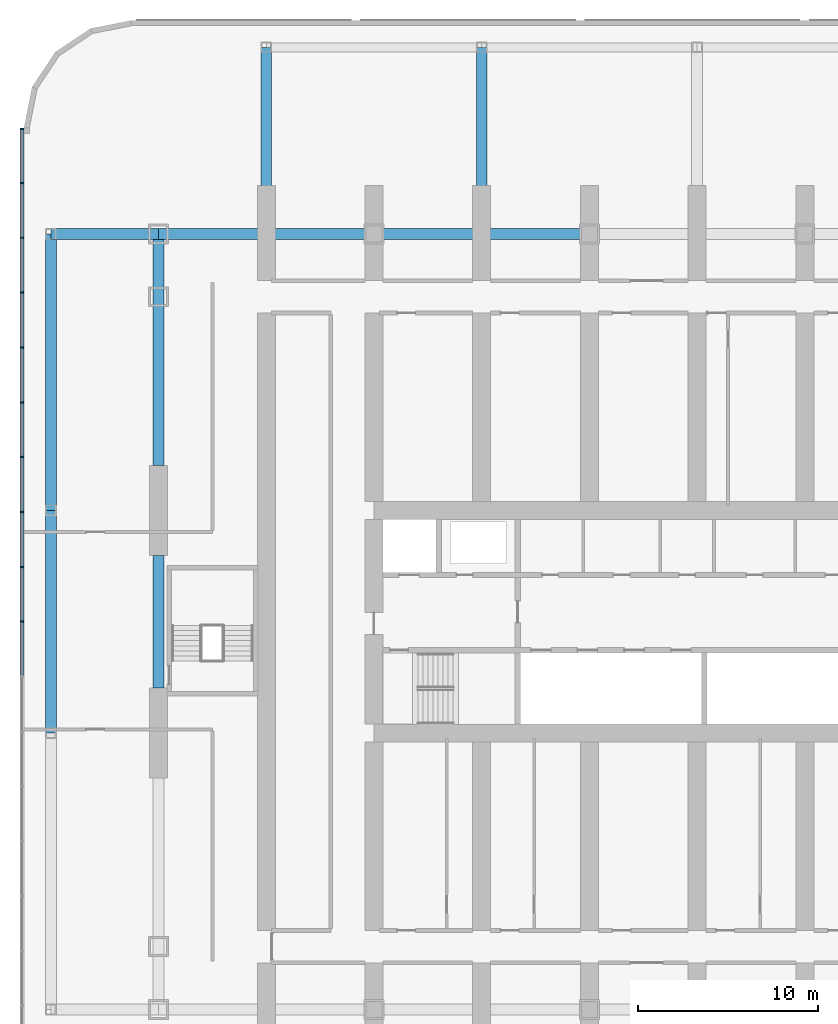
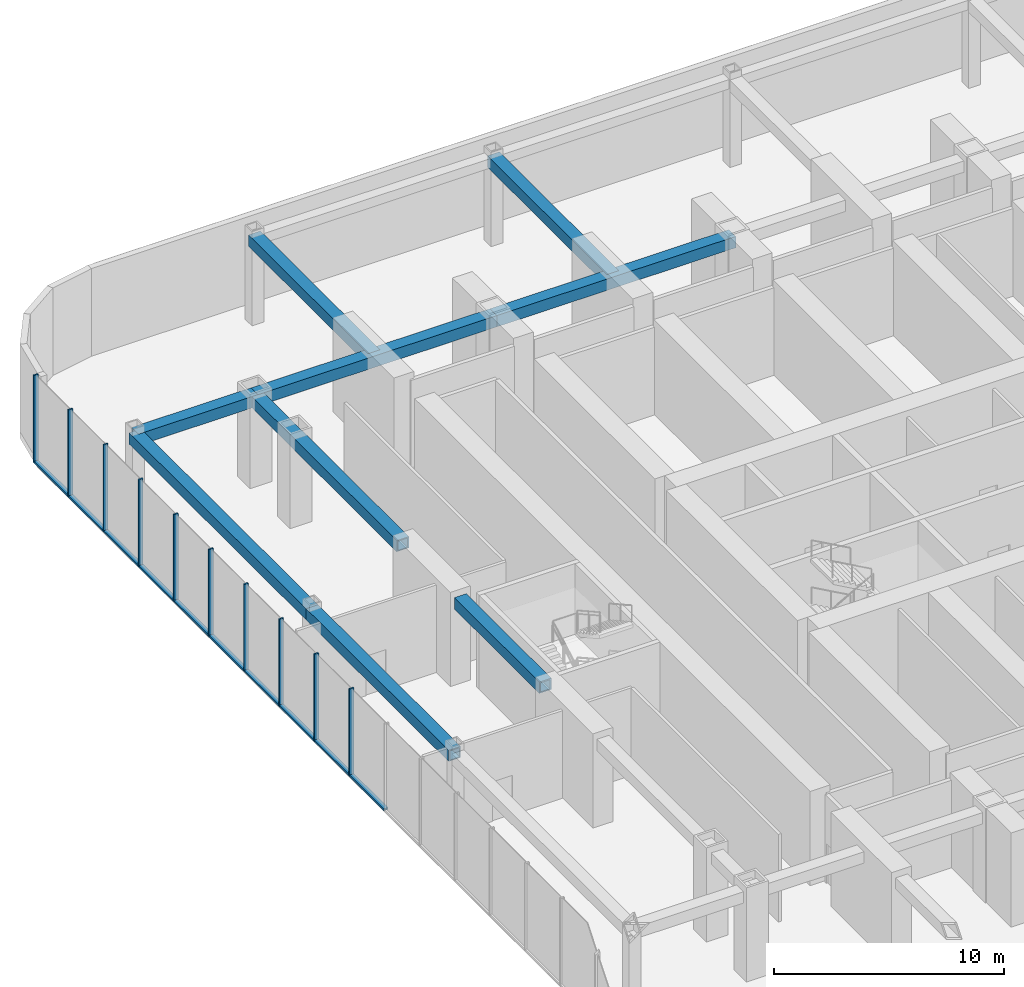
# One storey, part 9 of 37: 20 members, 9 beams, 1 element without a shape of its own.
"""IFC4 building model written with IfcOpenShell, lengths in metres."""

from ifc_helpers import new_model, si_unit, direction, frame, origin, origin_2d, place, context, subcontext, project, spatial, rectangle, hollow_rectangle, extrude, material, material_profile, profile_set, type_object, element, aggregate, save


model = new_model("IFC4")

# Units and contexts
model_context = context("Model", 3, precision=1e-05, world=origin(), true_north=direction((0.0, 1.0)))
body_context = subcontext(model_context, "Body", "Model", "MODEL_VIEW")
ifc_project = project(units=[si_unit("LENGTHUNIT", "METRE"), si_unit("AREAUNIT", "SQUARE_METRE"), si_unit("VOLUMEUNIT", "CUBIC_METRE"), si_unit("PLANEANGLEUNIT", "RADIAN"), si_unit("MASSUNIT", "GRAM", prefix="KILO")], contexts=[model_context])

# Site, building, storey
site_placement = place(None, origin())
site = spatial("IfcSite", under=ifc_project, at=site_placement, CompositionType="ELEMENT")
building_placement = place(site_placement, origin())
building = spatial("IfcBuilding", under=site, at=building_placement, Name="Orbita Commons", CompositionType="ELEMENT")
storey_placement = place(building_placement, frame((0.0, 0.0, 6.0)))
storey = spatial("IfcBuildingStorey", under=building, at=storey_placement, Name="L01", CompositionType="ELEMENT", Elevation=6.0)

# Curtain wall, members
ifc_material_1 = material(Name="Anodised aluminium frame, pale silver", Category="aluminium")
curtain_wall_type = type_object("IfcCurtainWallType", Name="Podium storefront curtain wall CW-P", PredefinedType="NOTDEFINED", material=ifc_material_1)
curtain_wall_placement = place(storey_placement, origin())
curtain_wall = element("IfcCurtainWall", 1, at=curtain_wall_placement, inside=storey, type_object=curtain_wall_type, Name="Curtain wall W 1 L01", PredefinedType="NOTDEFINED")
ifc_material_2 = material(Name="Anodised aluminium, pale silver", Category="aluminium")
ifc_material_profile_1 = material_profile(ifc_material_2, rectangle(XDim=0.080078125, YDim=0.219970703125, at=origin_2d()), Name="AL 80x220")
ifc_profile_set_1 = profile_set([ifc_material_profile_1], Name="Anodised aluminium, pale silver")
member_type_1 = type_object("IfcMemberType", Name="Curtain wall mullion 80x220", PredefinedType="MULLION", material=ifc_profile_set_1)
member_1_placement = place(storey_placement, frame((-1.610107421875, 59.4599609375, 0.0), z_axis=(0.0, 0.0, 1.0), x_axis=(0.0, -1.0, 0.0)))
member_1 = element("IfcMember", 2, at=member_1_placement, type_object=member_type_1, Name="Mullion 1 CW-L01-W0", PredefinedType="MULLION", context=body_context, shape_type="SweptSolid", body=[
    extrude(rectangle(XDim=0.080078125, YDim=0.219970703125, at=origin_2d()), origin(), (0.0, 0.0, 1.0), 4.64990234375),
])
member_2_placement = place(storey_placement, frame((-1.610107421875, 56.4443359375, 0.0), z_axis=(0.0, 0.0, 1.0), x_axis=(0.0, -1.0, 0.0)))
member_2 = element("IfcMember", 3, at=member_2_placement, type_object=member_type_1, Name="Mullion 2 CW-L01-W0", PredefinedType="MULLION", context=body_context, shape_type="SweptSolid", body=[
    extrude(rectangle(XDim=0.080078125, YDim=0.219970703125, at=origin_2d()), origin(), (0.0, 0.0, 1.0), 4.64990234375),
])
member_3_placement = place(storey_placement, frame((-1.610107421875, 53.388916015625, 0.0), z_axis=(0.0, 0.0, 1.0), x_axis=(0.0, -1.0, 0.0)))
member_3 = element("IfcMember", 4, at=member_3_placement, type_object=member_type_1, Name="Mullion 3 CW-L01-W0", PredefinedType="MULLION", context=body_context, shape_type="SweptSolid", body=[
    extrude(rectangle(XDim=0.080078125, YDim=0.219970703125, at=origin_2d()), origin(), (0.0, 0.0, 1.0), 4.64990234375),
])
member_4_placement = place(storey_placement, frame((-1.610107421875, 50.333251953125, 0.0), z_axis=(0.0, 0.0, 1.0), x_axis=(0.0, -1.0, 0.0)))
member_4 = element("IfcMember", 5, at=member_4_placement, type_object=member_type_1, Name="Mullion 4 CW-L01-W0", PredefinedType="MULLION", context=body_context, shape_type="SweptSolid", body=[
    extrude(rectangle(XDim=0.080078125, YDim=0.219970703125, at=origin_2d()), origin(), (0.0, 0.0, 1.0), 4.64990234375),
])
member_5_placement = place(storey_placement, frame((-1.610107421875, 47.27783203125, 0.0), z_axis=(0.0, 0.0, 1.0), x_axis=(0.0, -1.0, 0.0)))
member_5 = element("IfcMember", 6, at=member_5_placement, type_object=member_type_1, Name="Mullion 5 CW-L01-W0", PredefinedType="MULLION", context=body_context, shape_type="SweptSolid", body=[
    extrude(rectangle(XDim=0.080078125, YDim=0.219970703125, at=origin_2d()), origin(), (0.0, 0.0, 1.0), 4.64990234375),
])
member_6_placement = place(storey_placement, frame((-1.610107421875, 44.22216796875, 0.0), z_axis=(0.0, 0.0, 1.0), x_axis=(0.0, -1.0, 0.0)))
member_6 = element("IfcMember", 7, at=member_6_placement, type_object=member_type_1, Name="Mullion 6 CW-L01-W0", PredefinedType="MULLION", context=body_context, shape_type="SweptSolid", body=[
    extrude(rectangle(XDim=0.080078125, YDim=0.219970703125, at=origin_2d()), origin(), (0.0, 0.0, 1.0), 4.64990234375),
])
member_7_placement = place(storey_placement, frame((-1.610107421875, 41.166748046875, 0.0), z_axis=(0.0, 0.0, 1.0), x_axis=(0.0, -1.0, 0.0)))
member_7 = element("IfcMember", 8, at=member_7_placement, type_object=member_type_1, Name="Mullion 7 CW-L01-W0", PredefinedType="MULLION", context=body_context, shape_type="SweptSolid", body=[
    extrude(rectangle(XDim=0.080078125, YDim=0.219970703125, at=origin_2d()), origin(), (0.0, 0.0, 1.0), 4.64990234375),
])
member_8_placement = place(storey_placement, frame((-1.610107421875, 38.111083984375, 0.0), z_axis=(0.0, 0.0, 1.0), x_axis=(0.0, -1.0, 0.0)))
member_8 = element("IfcMember", 9, at=member_8_placement, type_object=member_type_1, Name="Mullion 8 CW-L01-W0", PredefinedType="MULLION", context=body_context, shape_type="SweptSolid", body=[
    extrude(rectangle(XDim=0.080078125, YDim=0.219970703125, at=origin_2d()), origin(), (0.0, 0.0, 1.0), 4.64990234375),
])
member_9_placement = place(storey_placement, frame((-1.610107421875, 35.0556640625, 0.0), z_axis=(0.0, 0.0, 1.0), x_axis=(0.0, -1.0, 0.0)))
member_9 = element("IfcMember", 10, at=member_9_placement, type_object=member_type_1, Name="Mullion 9 CW-L01-W0", PredefinedType="MULLION", context=body_context, shape_type="SweptSolid", body=[
    extrude(rectangle(XDim=0.080078125, YDim=0.219970703125, at=origin_2d()), origin(), (0.0, 0.0, 1.0), 4.64990234375),
])
member_10_placement = place(storey_placement, frame((-1.610107421875, 32.0, 0.0), z_axis=(0.0, 0.0, 1.0), x_axis=(0.0, -1.0, 0.0)))
member_10 = element("IfcMember", 11, at=member_10_placement, type_object=member_type_1, Name="Mullion 10 CW-L01-W0", PredefinedType="MULLION", context=body_context, shape_type="SweptSolid", body=[
    extrude(rectangle(XDim=0.080078125, YDim=0.219970703125, at=origin_2d()), origin(), (0.0, 0.0, 1.0), 4.64990234375),
])
ifc_material_3 = material(Name="Anodised aluminium, pale silver", Category="aluminium")
ifc_material_profile_2 = material_profile(ifc_material_3, rectangle(XDim=0.219970703125, YDim=0.10009765625, at=origin_2d()), Name="AL 220x100")
ifc_profile_set_2 = profile_set([ifc_material_profile_2], Name="Anodised aluminium, pale silver")
member_type_2 = type_object("IfcMemberType", Name="Curtain wall stack transom 220x100", PredefinedType="USERDEFINED", material=ifc_profile_set_2)
member_11_placement = place(storey_placement, frame((-1.610107421875, 59.419921875, 0.050048828125), z_axis=(0.0, -1.0, 0.0), x_axis=(1.0, 0.0, 0.0)))
member_11 = element("IfcMember", 12, at=member_11_placement, type_object=member_type_2, Name="Transom 1.1 CW-L01-W0", ObjectType="TRANSOM", PredefinedType="USERDEFINED", context=body_context, shape_type="SweptSolid", body=[
    extrude(rectangle(XDim=0.219970703125, YDim=0.10009765625, at=origin_2d()), origin(), (0.0, 0.0, 1.0), 2.935546875),
])
member_12_placement = place(storey_placement, frame((-1.610107421875, 56.404541015625, 0.050048828125), z_axis=(0.0, -1.0, 0.0), x_axis=(1.0, 0.0, 0.0)))
member_12 = element("IfcMember", 13, at=member_12_placement, type_object=member_type_2, Name="Transom 2.1 CW-L01-W0", ObjectType="TRANSOM", PredefinedType="USERDEFINED", context=body_context, shape_type="SweptSolid", body=[
    extrude(rectangle(XDim=0.219970703125, YDim=0.10009765625, at=origin_2d()), origin(), (0.0, 0.0, 1.0), 2.9755859375),
])
member_13_placement = place(storey_placement, frame((-1.610107421875, 53.348876953125, 0.050048828125), z_axis=(0.0, -1.0, 0.0), x_axis=(1.0, 0.0, 0.0)))
member_13 = element("IfcMember", 14, at=member_13_placement, type_object=member_type_2, Name="Transom 3.1 CW-L01-W0", ObjectType="TRANSOM", PredefinedType="USERDEFINED", context=body_context, shape_type="SweptSolid", body=[
    extrude(rectangle(XDim=0.219970703125, YDim=0.10009765625, at=origin_2d()), origin(), (0.0, 0.0, 1.0), 2.9755859375),
])
member_14_placement = place(storey_placement, frame((-1.610107421875, 50.293212890625, 0.050048828125), z_axis=(0.0, -1.0, 0.0), x_axis=(1.0, 0.0, 0.0)))
member_14 = element("IfcMember", 15, at=member_14_placement, type_object=member_type_2, Name="Transom 4.1 CW-L01-W0", ObjectType="TRANSOM", PredefinedType="USERDEFINED", context=body_context, shape_type="SweptSolid", body=[
    extrude(rectangle(XDim=0.219970703125, YDim=0.10009765625, at=origin_2d()), origin(), (0.0, 0.0, 1.0), 2.975341796875),
])
member_15_placement = place(storey_placement, frame((-1.610107421875, 47.23779296875, 0.050048828125), z_axis=(0.0, -1.0, 0.0), x_axis=(1.0, 0.0, 0.0)))
member_15 = element("IfcMember", 16, at=member_15_placement, type_object=member_type_2, Name="Transom 5.1 CW-L01-W0", ObjectType="TRANSOM", PredefinedType="USERDEFINED", context=body_context, shape_type="SweptSolid", body=[
    extrude(rectangle(XDim=0.219970703125, YDim=0.10009765625, at=origin_2d()), origin(), (0.0, 0.0, 1.0), 2.9755859375),
])
member_16_placement = place(storey_placement, frame((-1.610107421875, 44.18212890625, 0.050048828125), z_axis=(0.0, -1.0, 0.0), x_axis=(1.0, 0.0, 0.0)))
member_16 = element("IfcMember", 17, at=member_16_placement, type_object=member_type_2, Name="Transom 6.1 CW-L01-W0", ObjectType="TRANSOM", PredefinedType="USERDEFINED", context=body_context, shape_type="SweptSolid", body=[
    extrude(rectangle(XDim=0.219970703125, YDim=0.10009765625, at=origin_2d()), origin(), (0.0, 0.0, 1.0), 2.975341796875),
])
member_17_placement = place(storey_placement, frame((-1.610107421875, 41.126708984375, 0.050048828125), z_axis=(0.0, -1.0, 0.0), x_axis=(1.0, 0.0, 0.0)))
member_17 = element("IfcMember", 18, at=member_17_placement, type_object=member_type_2, Name="Transom 7.1 CW-L01-W0", ObjectType="TRANSOM", PredefinedType="USERDEFINED", context=body_context, shape_type="SweptSolid", body=[
    extrude(rectangle(XDim=0.219970703125, YDim=0.10009765625, at=origin_2d()), origin(), (0.0, 0.0, 1.0), 2.9755859375),
])
member_18_placement = place(storey_placement, frame((-1.610107421875, 38.071044921875, 0.050048828125), z_axis=(0.0, -1.0, 0.0), x_axis=(1.0, 0.0, 0.0)))
member_18 = element("IfcMember", 19, at=member_18_placement, type_object=member_type_2, Name="Transom 8.1 CW-L01-W0", ObjectType="TRANSOM", PredefinedType="USERDEFINED", context=body_context, shape_type="SweptSolid", body=[
    extrude(rectangle(XDim=0.219970703125, YDim=0.10009765625, at=origin_2d()), origin(), (0.0, 0.0, 1.0), 2.9755859375),
])
member_19_placement = place(storey_placement, frame((-1.610107421875, 35.015625, 0.050048828125), z_axis=(0.0, -1.0, 0.0), x_axis=(1.0, 0.0, 0.0)))
member_19 = element("IfcMember", 20, at=member_19_placement, type_object=member_type_2, Name="Transom 9.1 CW-L01-W0", ObjectType="TRANSOM", PredefinedType="USERDEFINED", context=body_context, shape_type="SweptSolid", body=[
    extrude(rectangle(XDim=0.219970703125, YDim=0.10009765625, at=origin_2d()), origin(), (0.0, 0.0, 1.0), 2.9755859375),
])
member_20_placement = place(storey_placement, frame((-1.610107421875, 31.9599609375, 0.050048828125), z_axis=(0.0, -1.0, 0.0), x_axis=(1.0, 0.0, 0.0)))
member_20 = element("IfcMember", 21, at=member_20_placement, type_object=member_type_2, Name="Transom 10.1 CW-L01-W0", ObjectType="TRANSOM", PredefinedType="USERDEFINED", context=body_context, shape_type="SweptSolid", body=[
    extrude(rectangle(XDim=0.219970703125, YDim=0.10009765625, at=origin_2d()), origin(), (0.0, 0.0, 1.0), 2.9755859375),
])
aggregate(curtain_wall, [member_1, member_2, member_3, member_4, member_5, member_6, member_7, member_8, member_9, member_10, member_11, member_12, member_13, member_14, member_15, member_16, member_17, member_18, member_19, member_20])

# Beams
ifc_material_4 = material(Name="Steel ASTM A572 Gr 50 welded plate", Category="steel")
ifc_material_profile_3 = material_profile(ifc_material_4, hollow_rectangle(XDim=0.60009765625, YDim=0.60009765625, WallThickness=0.06005859375, at=origin_2d()), Name="BOX 600x600x60")
ifc_profile_set_3 = profile_set([ifc_material_profile_3], Name="Steel ASTM A572 Gr 50 welded plate")
beam_type = type_object("IfcBeamType", Name="Steel podium beam BOX 600x600x60", PredefinedType="BEAM", material=ifc_profile_set_3)
beam_1_placement = place(storey_placement, frame((0.0, 53.60009765625, 4.35009765625), z_axis=(1.0, 0.0, 0.0), x_axis=(0.0, 1.0, 0.0)))
element("IfcBeam", 22, at=beam_1_placement, inside=storey, type_object=beam_type, Name="Podium beam E 1-2 L01", PredefinedType="BEAM", context=body_context, shape_type="SweptSolid", body=[
    extrude(hollow_rectangle(XDim=0.60009765625, YDim=0.60009765625, WallThickness=0.06005859375, at=origin_2d()), origin(), (0.0, 0.0, 1.0), 6.0),
])
for number, where, z_axis, x_axis, name in (
    (23, (6.0, 53.60009765625, 4.35009765625), (1.0, 0.0, 0.0), (0.0, 1.0, 0.0), "Podium beam E 2-4 L01"),
    (24, (18.0, 53.60009765625, 4.35009765625), (1.0, 0.0, 0.0), (0.0, 1.0, 0.0), "Podium beam E 4-6 L01"),
):
    element("IfcBeam", number, at=place(storey_placement, frame(where, z_axis=z_axis, x_axis=x_axis)), inside=storey, type_object=beam_type, Name=name, PredefinedType="BEAM", context=body_context, shape_type="SweptSolid", body=[
        extrude(hollow_rectangle(XDim=0.60009765625, YDim=0.60009765625, WallThickness=0.06005859375, at=origin_2d()), origin(), (0.0, 0.0, 1.0), 12.0),
    ])
for number, where, z_axis, x_axis, name in (
    (25, (12.0, 53.60009765625, 4.35009765625), (0.0, 1.0, 0.0), (-1.0, 0.0, 0.0), "Podium beam 3 E-F L01"),
    (26, (24.0, 53.60009765625, 4.35009765625), (0.0, 1.0, 0.0), (-1.0, 0.0, 0.0), "Podium beam 5 E-F L01"),
):
    element("IfcBeam", number, at=place(storey_placement, frame(where, z_axis=z_axis, x_axis=x_axis)), inside=storey, type_object=beam_type, Name=name, PredefinedType="BEAM", context=body_context, shape_type="SweptSolid", body=[
        extrude(hollow_rectangle(XDim=0.60009765625, YDim=0.60009765625, WallThickness=0.06005859375, at=origin_2d()), origin(), (0.0, 0.0, 1.0), 10.39990234375),
    ])
beam_2_placement = place(storey_placement, frame((0.0, 25.800048828125, 4.35009765625), z_axis=(0.0, 1.0, 0.0), x_axis=(-1.0, 0.0, 0.0)))
element("IfcBeam", 27, at=beam_2_placement, inside=storey, type_object=beam_type, Name="Podium beam 1 C-D L01", PredefinedType="BEAM", context=body_context, shape_type="SweptSolid", body=[
    extrude(hollow_rectangle(XDim=0.60009765625, YDim=0.60009765625, WallThickness=0.06005859375, at=origin_2d()), origin(), (0.0, 0.0, 1.0), 12.39990234375),
])
beam_3_placement = place(storey_placement, frame((0.0, 38.199951171875, 4.35009765625), z_axis=(0.0, 1.0, 0.0), x_axis=(-1.0, 0.0, 0.0)))
element("IfcBeam", 28, at=beam_3_placement, inside=storey, type_object=beam_type, Name="Podium beam 1 D-E L01", PredefinedType="BEAM", context=body_context, shape_type="SweptSolid", body=[
    extrude(hollow_rectangle(XDim=0.60009765625, YDim=0.60009765625, WallThickness=0.06005859375, at=origin_2d()), origin(), (0.0, 0.0, 1.0), 15.400146484375),
])
beam_4_placement = place(storey_placement, frame((6.0, 28.300048828125, 4.35009765625), z_axis=(0.0, 1.0, 0.0), x_axis=(-1.0, 0.0, 0.0)))
element("IfcBeam", 29, at=beam_4_placement, inside=storey, type_object=beam_type, Name="Podium beam 2 C-D L01", PredefinedType="BEAM", context=body_context, shape_type="SweptSolid", body=[
    extrude(hollow_rectangle(XDim=0.60009765625, YDim=0.60009765625, WallThickness=0.06005859375, at=origin_2d()), origin(), (0.0, 0.0, 1.0), 7.39990234375),
])
beam_5_placement = place(storey_placement, frame((6.0, 40.699951171875, 4.35009765625), z_axis=(0.0, 1.0, 0.0), x_axis=(-1.0, 0.0, 0.0)))
element("IfcBeam", 30, at=beam_5_placement, inside=storey, type_object=beam_type, Name="Podium beam 2 D-E L01", PredefinedType="BEAM", context=body_context, shape_type="SweptSolid", body=[
    extrude(hollow_rectangle(XDim=0.60009765625, YDim=0.60009765625, WallThickness=0.06005859375, at=origin_2d()), origin(), (0.0, 0.0, 1.0), 12.900146484375),
])

save(model, "model.ifc")
